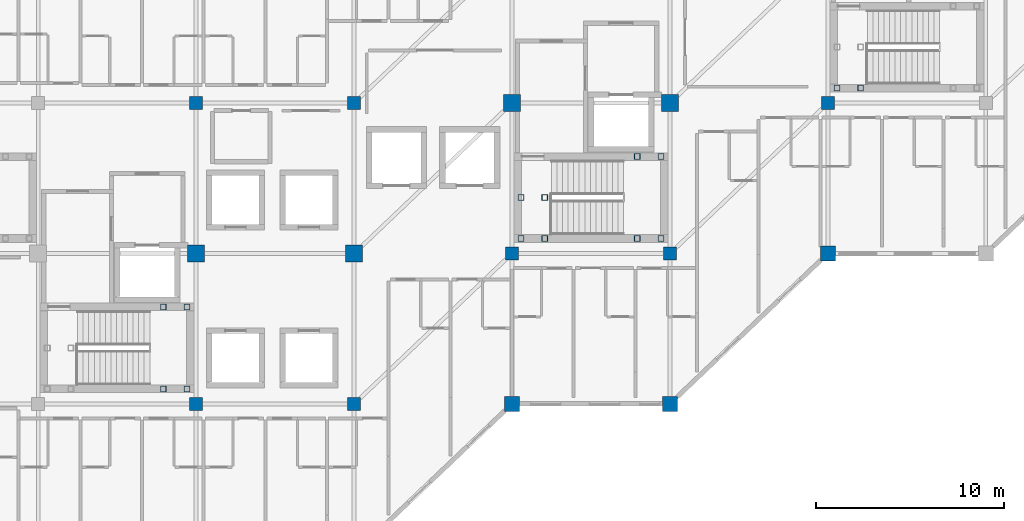
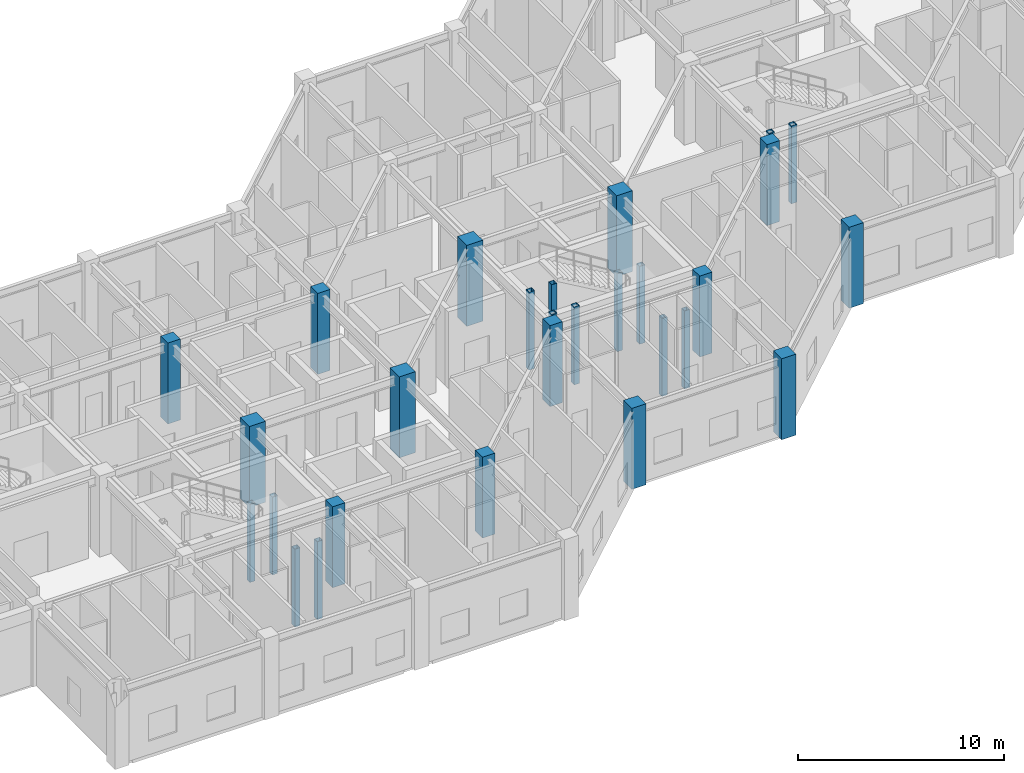
# One storey, part 4 of 37: 28 columns.
"""IFC4 building model written with IfcOpenShell, lengths in metres."""

from ifc_helpers import new_model, si_unit, direction, frame, origin, origin_2d, place, context, subcontext, project, spatial, rectangle, hollow_rectangle, extrude, material, material_profile, profile_set, type_object, element, save


model = new_model("IFC4")

# Units and contexts
model_context = context("Model", 3, precision=1e-05, world=origin(), true_north=direction((0.0, 1.0)))
body_context = subcontext(model_context, "Body", "Model", "MODEL_VIEW")
ifc_project = project(units=[si_unit("LENGTHUNIT", "METRE"), si_unit("AREAUNIT", "SQUARE_METRE"), si_unit("VOLUMEUNIT", "CUBIC_METRE"), si_unit("PLANEANGLEUNIT", "RADIAN"), si_unit("MASSUNIT", "GRAM", prefix="KILO")], contexts=[model_context])

# Site, building, storey
site_placement = place(None, origin())
site = spatial("IfcSite", under=ifc_project, at=site_placement, CompositionType="ELEMENT")
building_placement = place(site_placement, origin())
building = spatial("IfcBuilding", under=site, at=building_placement, Name="Naruveol Harbour Congress Hotel", CompositionType="ELEMENT")
storey_placement = place(building_placement, frame((0.0, 0.0, 16.199951171875)))
storey = spatial("IfcBuildingStorey", under=building, at=storey_placement, Name="L03", CompositionType="ELEMENT", Elevation=16.199951171875)

# Columns
ifc_material_1 = material(Name="Concrete C40/50", Category="concrete")
ifc_material_profile_1 = material_profile(ifc_material_1, rectangle(XDim=0.699951171875, YDim=0.699951171875, at=origin_2d()), Name="RC-700x700")
ifc_profile_set_1 = profile_set([ifc_material_profile_1], Name="Concrete C40/50")
column_type_1 = type_object("IfcColumnType", Name="RC HOTEL COLUMN 700X700", PredefinedType="COLUMN", material=ifc_profile_set_1)
for number, where, z_axis, x_axis, name in (
    (1, (134.39990234375, 8.0, 0.0), (0.0, 0.0, 1.0), (1.0, 0.0, 0.0), "Planted hotel column C-700 L03 S2/J1"),
    (2, (134.39990234375, 24.0, 0.0), (0.0, 0.0, 1.0), (1.0, 0.0, 0.0), "Planted hotel column C-700 L03 S2/J3"),
    (3, (142.800048828125, 8.0, 0.0), (0.0, 0.0, 1.0), (1.0, 0.0, 0.0), "Planted hotel column C-700 L03 S3/J1"),
    (4, (142.800048828125, 24.0, 0.0), (0.0, 0.0, 1.0), (1.0, 0.0, 0.0), "Planted hotel column C-700 L03 S3/J3"),
    (5, (151.199951171875, 16.0, 0.0), (0.0, 0.0, 1.0), (1.0, 0.0, 0.0), "Planted hotel column C-700 L03 S4/J1"),
    (6, (159.60009765625, 16.0, 0.0), (0.0, 0.0, 1.0), (1.0, 0.0, 0.0), "Planted hotel column C-700 L03 S5/J1"),
    (7, (168.0, 24.0, 0.0), (0.0, 0.0, 1.0), (1.0, 0.0, 0.0), "Planted hotel column C-700 L03 S6/J1"),
):
    element("IfcColumn", number, at=place(storey_placement, frame(where, z_axis=z_axis, x_axis=x_axis)), inside=storey, type_object=column_type_1, Name=name, PredefinedType="COLUMN", context=body_context, shape_type="SweptSolid", body=[
        extrude(rectangle(XDim=0.699951171875, YDim=0.699951171875, at=origin_2d()), origin(), (0.0, 0.0, 1.0), 4.800048828125),
    ])
ifc_material_2 = material(Name="Concrete C50/60", Category="concrete")
ifc_material_profile_2 = material_profile(ifc_material_2, rectangle(XDim=0.800048828125, YDim=0.800048828125, at=origin_2d()), Name="RC-800x800")
ifc_profile_set_2 = profile_set([ifc_material_profile_2], Name="Concrete C50/60")
column_type_2 = type_object("IfcColumnType", Name="RC PODIUM COLUMN 800X800", PredefinedType="COLUMN", material=ifc_profile_set_2)
for number, where, z_axis, x_axis, name in (
    (8, (151.199951171875, 8.0, 0.0), (0.0, 0.0, 1.0), (1.0, 0.0, 0.0), "Column C-800 L03 (151.2,8.0)"),
    (9, (159.60009765625, 8.0, 0.0), (0.0, 0.0, 1.0), (1.0, 0.0, 0.0), "Column C-800 L03 (159.6,8.0)"),
    (10, (168.0, 16.0, 0.0), (0.0, 0.0, 1.0), (1.0, 0.0, 0.0), "Column C-800 L03 (168.0,16.0)"),
):
    element("IfcColumn", number, at=place(storey_placement, frame(where, z_axis=z_axis, x_axis=x_axis)), inside=storey, type_object=column_type_2, Name=name, PredefinedType="COLUMN", context=body_context, shape_type="SweptSolid", body=[
        extrude(rectangle(XDim=0.800048828125, YDim=0.800048828125, at=origin_2d()), origin(), (0.0, 0.0, 1.0), 4.800048828125),
    ])
ifc_material_3 = material(Name="Concrete C50/60", Category="concrete")
ifc_material_profile_3 = material_profile(ifc_material_3, rectangle(XDim=0.89990234375, YDim=0.89990234375, at=origin_2d()), Name="RC-900x900")
ifc_profile_set_3 = profile_set([ifc_material_profile_3], Name="Concrete C50/60")
column_type_3 = type_object("IfcColumnType", Name="RC PRIMARY COLUMN 900X900", PredefinedType="COLUMN", material=ifc_profile_set_3)
for number, where, z_axis, x_axis, name in (
    (11, (134.39990234375, 16.0, 0.0), (0.0, 0.0, 1.0), (1.0, 0.0, 0.0), "Column C-900 L03 (134.4,16.0)"),
    (12, (142.800048828125, 16.0, 0.0), (0.0, 0.0, 1.0), (1.0, 0.0, 0.0), "Column C-900 L03 (142.8,16.0)"),
    (13, (151.199951171875, 24.0, 0.0), (0.0, 0.0, 1.0), (1.0, 0.0, 0.0), "Column C-900 L03 (151.2,24.0)"),
    (14, (159.60009765625, 24.0, 0.0), (0.0, 0.0, 1.0), (1.0, 0.0, 0.0), "Column C-900 L03 (159.6,24.0)"),
):
    element("IfcColumn", number, at=place(storey_placement, frame(where, z_axis=z_axis, x_axis=x_axis)), inside=storey, type_object=column_type_3, Name=name, PredefinedType="COLUMN", context=body_context, shape_type="SweptSolid", body=[
        extrude(rectangle(XDim=0.89990234375, YDim=0.89990234375, at=origin_2d()), origin(), (0.0, 0.0, 1.0), 4.800048828125),
    ])
ifc_material_4 = material(Name="Steel SN490", Category="steel")
ifc_material_profile_4 = material_profile(ifc_material_4, hollow_rectangle(XDim=0.300048828125, YDim=0.300048828125, WallThickness=0.011962890625, at=origin_2d()), Name="SHS-300x300x12")
ifc_profile_set_4 = profile_set([ifc_material_profile_4], Name="Steel SN490")
column_type_4 = type_object("IfcColumnType", Name="STEEL COLONNADE POST SHS300", PredefinedType="COLUMN", material=ifc_profile_set_4)
for number, where, z_axis, x_axis, name in (
    (15, (132.659912109375, 8.800048828125, -2.39990234375), (0.0, 0.0, 1.0), (1.0, 0.0, 0.0), "Stair landing support post ST1E #53"),
    (16, (132.659912109375, 13.159912109375, -2.39990234375), (0.0, 0.0, 1.0), (1.0, 0.0, 0.0), "Stair landing support post ST1E #65"),
    (17, (133.919921875, 8.800048828125, -2.39990234375), (0.0, 0.0, 1.0), (1.0, 0.0, 0.0), "Stair landing support post ST1E #77"),
    (18, (133.919921875, 13.159912109375, -2.39990234375), (0.0, 0.0, 1.0), (1.0, 0.0, 0.0), "Stair landing support post ST1E #89"),
):
    element("IfcColumn", number, at=place(storey_placement, frame(where, z_axis=z_axis, x_axis=x_axis)), inside=storey, type_object=column_type_4, Name=name, PredefinedType="COLUMN", context=body_context, shape_type="SweptSolid", body=[
        extrude(hollow_rectangle(XDim=0.300048828125, YDim=0.300048828125, WallThickness=0.011962890625, at=origin_2d()), origin(), (0.0, 0.0, 1.0), 4.619873046875),
    ])
for number, where, z_axis, x_axis, name in (
    (19, (151.679931640625, 16.800048828125, 0.0), (0.0, 0.0, 1.0), (1.0, 0.0, 0.0), "Stair landing support post ST2W #101"),
    (20, (151.679931640625, 18.97998046875, 0.0), (0.0, 0.0, 1.0), (1.0, 0.0, 0.0), "Stair landing support post ST2W #113"),
    (21, (152.93994140625, 16.800048828125, 0.0), (0.0, 0.0, 1.0), (1.0, 0.0, 0.0), "Stair landing support post ST2W #125"),
    (22, (152.93994140625, 18.97998046875, 0.0), (0.0, 0.0, 1.0), (1.0, 0.0, 0.0), "Stair landing support post ST2W #137"),
):
    element("IfcColumn", number, at=place(storey_placement, frame(where, z_axis=z_axis, x_axis=x_axis)), inside=storey, type_object=column_type_4, Name=name, PredefinedType="COLUMN", context=body_context, shape_type="SweptSolid", body=[
        extrude(hollow_rectangle(XDim=0.300048828125, YDim=0.300048828125, WallThickness=0.011962890625, at=origin_2d()), origin(), (0.0, 0.0, 1.0), 4.6201171875),
    ])
for number, where, z_axis, x_axis, name in (
    (23, (157.860107421875, 16.800048828125, -2.39990234375), (0.0, 0.0, 1.0), (1.0, 0.0, 0.0), "Stair landing support post ST2E #149"),
    (24, (157.860107421875, 21.159912109375, -2.39990234375), (0.0, 0.0, 1.0), (1.0, 0.0, 0.0), "Stair landing support post ST2E #161"),
    (25, (159.1201171875, 16.800048828125, -2.39990234375), (0.0, 0.0, 1.0), (1.0, 0.0, 0.0), "Stair landing support post ST2E #173"),
    (26, (159.1201171875, 21.159912109375, -2.39990234375), (0.0, 0.0, 1.0), (1.0, 0.0, 0.0), "Stair landing support post ST2E #185"),
):
    element("IfcColumn", number, at=place(storey_placement, frame(where, z_axis=z_axis, x_axis=x_axis)), inside=storey, type_object=column_type_4, Name=name, PredefinedType="COLUMN", context=body_context, shape_type="SweptSolid", body=[
        extrude(hollow_rectangle(XDim=0.300048828125, YDim=0.300048828125, WallThickness=0.011962890625, at=origin_2d()), origin(), (0.0, 0.0, 1.0), 4.619873046875),
    ])
for number, where, z_axis, x_axis, name in (
    (27, (168.47998046875, 24.800048828125, 0.0), (0.0, 0.0, 1.0), (1.0, 0.0, 0.0), "Stair landing support post ST4W #277"),
    (28, (169.739990234375, 24.800048828125, 0.0), (0.0, 0.0, 1.0), (1.0, 0.0, 0.0), "Stair landing support post ST4W #293"),
):
    element("IfcColumn", number, at=place(storey_placement, frame(where, z_axis=z_axis, x_axis=x_axis)), inside=storey, type_object=column_type_4, Name=name, PredefinedType="COLUMN", context=body_context, shape_type="SweptSolid", body=[
        extrude(hollow_rectangle(XDim=0.300048828125, YDim=0.300048828125, WallThickness=0.011962890625, at=origin_2d()), origin(), (0.0, 0.0, 1.0), 4.6201171875),
    ])

save(model, "model.ifc")
